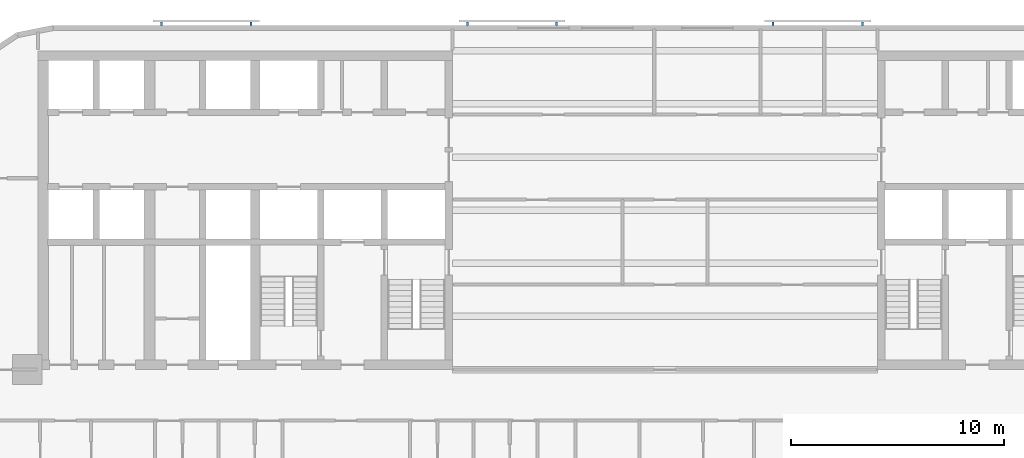
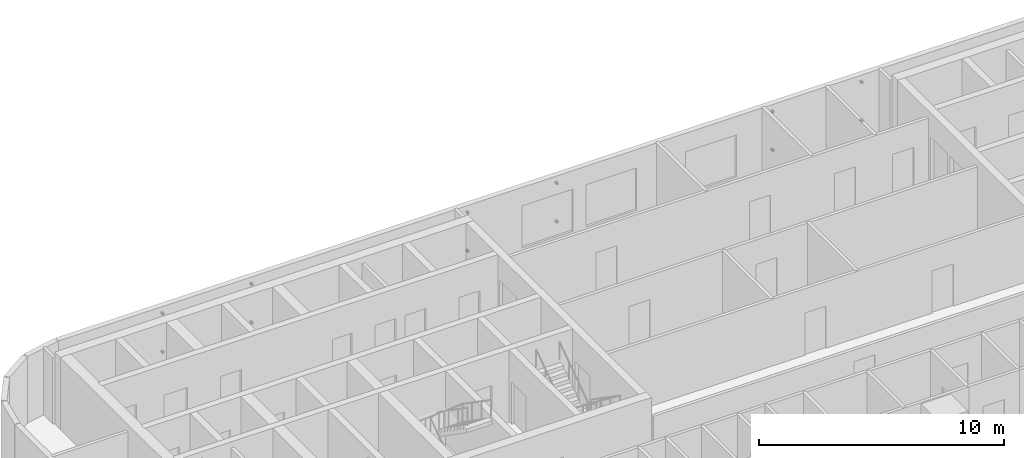
# One storey, part 11 of 15: 12 discrete accessories.
"""IFC4 building model written with IfcOpenShell, lengths in metres."""

from ifc_helpers import new_model, si_unit, direction, frame, origin, origin_2d, place, context, subcontext, project, spatial, rectangle, extrude, material, type_object, element, save


model = new_model("IFC4")

# Units and contexts
model_context = context("Model", 3, precision=1e-05, world=origin(), true_north=direction((0.0, 1.0)))
body_context = subcontext(model_context, "Body", "Model", "MODEL_VIEW")
ifc_project = project(units=[si_unit("LENGTHUNIT", "METRE"), si_unit("AREAUNIT", "SQUARE_METRE"), si_unit("VOLUMEUNIT", "CUBIC_METRE"), si_unit("PLANEANGLEUNIT", "RADIAN"), si_unit("MASSUNIT", "GRAM", prefix="KILO")], contexts=[model_context])

# Site, building, storey
site_placement = place(None, origin())
site = spatial("IfcSite", under=ifc_project, at=site_placement, CompositionType="ELEMENT")
building_placement = place(site_placement, origin())
building = spatial("IfcBuilding", under=site, at=building_placement, Name="Torana Hotel and Residences", CompositionType="ELEMENT")
storey_placement = place(building_placement, frame((0.0, 0.0, 45.60009765625)))
storey = spatial("IfcBuildingStorey", under=building, at=storey_placement, Name="L10", CompositionType="ELEMENT", Elevation=45.60009765625)

# Discrete accessories
ifc_material = material(Name="Steel S355", Category="steel")
discrete_accessory_type = type_object("IfcDiscreteAccessoryType", Name="SCREEN BRACKET 100", PredefinedType="BRACKET", material=ifc_material)
for number, where, z_axis, x_axis, name in (
    (1, (9.293701171875, 1.27490234375, 0.749755859375), (0.0, 0.0, 1.0), (-1.0, 0.0, 0.0), "Screen bracket L10"),
    (2, (9.293701171875, 1.27490234375, 2.669921875), (0.0, 0.0, 1.0), (-1.0, 0.0, 0.0), "Screen bracket L10"),
    (3, (5.09375, 1.27490234375, 0.749755859375), (0.0, 0.0, 1.0), (-1.0, 0.0, 0.0), "Screen bracket L10"),
    (4, (5.09375, 1.27490234375, 2.669921875), (0.0, 0.0, 1.0), (-1.0, 0.0, 0.0), "Screen bracket L10"),
    (5, (-5.09375, 1.27490234375, 0.749755859375), (0.0, 0.0, 1.0), (-1.0, 0.0, 0.0), "Screen bracket L10"),
    (6, (-5.09375, 1.27490234375, 2.669921875), (0.0, 0.0, 1.0), (-1.0, 0.0, 0.0), "Screen bracket L10"),
    (7, (-9.293701171875, 1.27490234375, 0.749755859375), (0.0, 0.0, 1.0), (-1.0, 0.0, 0.0), "Screen bracket L10"),
    (8, (-9.293701171875, 1.27490234375, 2.669921875), (0.0, 0.0, 1.0), (-1.0, 0.0, 0.0), "Screen bracket L10"),
    (9, (-19.4814453125, 1.27490234375, 0.749755859375), (0.0, 0.0, 1.0), (-1.0, 0.0, 0.0), "Screen bracket L10"),
    (10, (-19.4814453125, 1.27490234375, 2.669921875), (0.0, 0.0, 1.0), (-1.0, 0.0, 0.0), "Screen bracket L10"),
    (11, (-23.681396484375, 1.27490234375, 0.749755859375), (0.0, 0.0, 1.0), (-1.0, 0.0, 0.0), "Screen bracket L10"),
    (12, (-23.681396484375, 1.27490234375, 2.669921875), (0.0, 0.0, 1.0), (-1.0, 0.0, 0.0), "Screen bracket L10"),
):
    element("IfcDiscreteAccessory", number, at=place(storey_placement, frame(where, z_axis=z_axis, x_axis=x_axis)), inside=storey, type_object=discrete_accessory_type, Name=name, PredefinedType="BRACKET", context=body_context, shape_type="SweptSolid", body=[
        extrude(rectangle(XDim=0.10009765625, YDim=0.14990234375, at=origin_2d()), origin(), (0.0, 0.0, 1.0), 0.10009765625),
    ])

save(model, "model.ifc")
